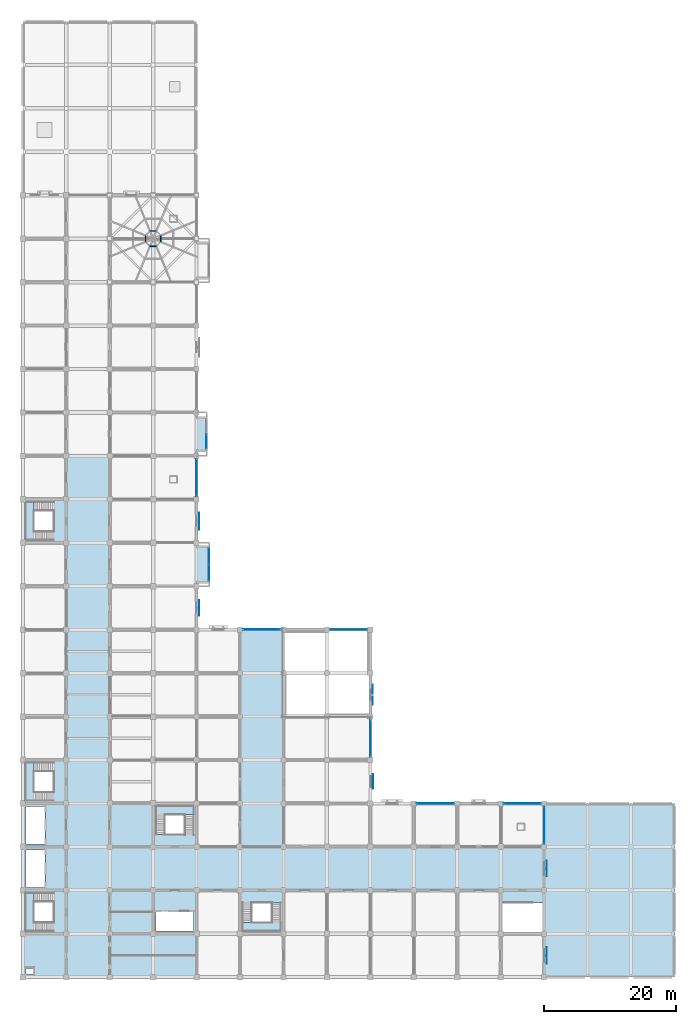
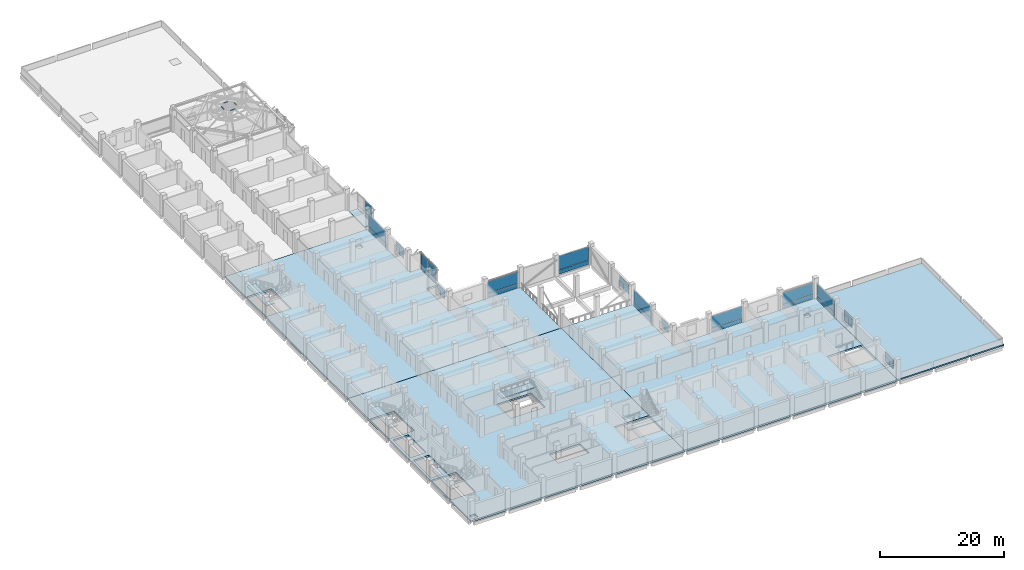
# One storey, part 15 of 30: 26 plates, 10 slabs, 4 members, 14 elements without a shape of their own.
"""IFC4 building model written with IfcOpenShell, lengths in metres."""

from ifc_helpers import new_model, si_unit, direction, frame, origin, origin_2d, place, context, subcontext, project, spatial, polyline, rectangle, hollow_rectangle, outline, extrude, material, layer, layer_set, material_profile, profile_set, type_object, element, aggregate, save


model = new_model("IFC4")

# Units and contexts
model_context = context("Model", 3, precision=1e-05, world=origin(), true_north=direction((0.0, 1.0)))
body_context = subcontext(model_context, "Body", "Model", "MODEL_VIEW")
ifc_project = project(units=[si_unit("LENGTHUNIT", "METRE"), si_unit("AREAUNIT", "SQUARE_METRE"), si_unit("VOLUMEUNIT", "CUBIC_METRE"), si_unit("PLANEANGLEUNIT", "RADIAN"), si_unit("MASSUNIT", "GRAM", prefix="KILO")], contexts=[model_context])

# Site, building, storey
site_placement = place(None, origin())
site = spatial("IfcSite", under=ifc_project, at=site_placement, CompositionType="ELEMENT")
building_placement = place(site_placement, origin())
building = spatial("IfcBuilding", under=site, at=building_placement, Name="Rusizi Kubbe Research Institute", CompositionType="ELEMENT")
storey_placement = place(building_placement, frame((0.0, 0.0, 10.199951171875)))
storey = spatial("IfcBuildingStorey", under=building, at=storey_placement, Name="L02", CompositionType="ELEMENT", Elevation=10.199951171875)

# Members
ifc_material_1 = material(Name="Steel S355", Category="steel")
ifc_material_profile = material_profile(ifc_material_1, hollow_rectangle(XDim=0.10009765625, YDim=0.179931640625, WallThickness=0.008056640625, at=origin_2d()), Name="RHS 180x100x8.0")
ifc_profile_set = profile_set([ifc_material_profile], Name="Steel S355")
member_type = type_object("IfcMemberType", Name="MB-RHS180", PredefinedType="PURLIN", material=ifc_profile_set)
for number, where, z_axis, x_axis, name in (
    (1, (20.2783203125, 113.354736328125, 6.5), (-1.0, 0.0, 0.0), (0.0, -1.0, 0.0), "Kubbe Dome Hoop Purlin Top DOME-LEC-2"),
    (2, (18.645263671875, 112.678466796875, 6.5), (0.0, -1.0, 0.0), (1.0, 0.0, 0.0), "Kubbe Dome Hoop Purlin Top DOME-LEC-4"),
    (3, (19.321533203125, 111.045166015625, 6.5), (1.0, 0.0, 0.0), (0.0, 1.0, 0.0), "Kubbe Dome Hoop Purlin Top DOME-LEC-6"),
    (4, (20.954833984375, 111.7216796875, 6.5), (0.0, 1.0, 0.0), (-1.0, 0.0, 0.0), "Kubbe Dome Hoop Purlin Top DOME-LEC-8"),
):
    element("IfcMember", number, at=place(storey_placement, frame(where, z_axis=z_axis, x_axis=x_axis)), inside=storey, type_object=member_type, Name=name, PredefinedType="PURLIN", context=body_context, shape_type="SweptSolid", body=[
        extrude(hollow_rectangle(XDim=0.10009765625, YDim=0.179931640625, WallThickness=0.008056640625, at=origin_2d()), origin(), (0.0, 0.0, 1.0), 0.956787109375),
    ])

# Curtain wall, plate
ifc_material_2 = material(Name="Thermally Broken Aluminium and Low-E Glazing", Category="aluminium")
curtain_wall_type_1 = type_object("IfcCurtainWallType", Name="CW-05", PredefinedType="NOTDEFINED", material=ifc_material_2)
curtain_wall_1_placement = place(storey_placement, origin())
curtain_wall_1 = element("IfcCurtainWall", 5, at=curtain_wall_1_placement, inside=storey, type_object=curtain_wall_type_1, Name="Unitised Facade Curtain Wall CW-L02-H-11-04", PredefinedType="NOTDEFINED")
ifc_material_3 = material(Name="Double Low-E Solar Control Insulated Glass", Category="glass")
ifc_layer_1 = layer(ifc_material_3, 0.02392578125)
ifc_layer_set_1 = layer_set([ifc_layer_1], Name="Double Low-E Solar Control Insulated Glass")
plate_type_1 = type_object("IfcPlateType", Name="GL-01", PredefinedType="CURTAIN_PANEL", material=ifc_layer_set_1)
plate_1_placement = place(storey_placement, frame((75.89990234375, 26.39990234375, 0.93017578125), z_axis=(0.0, 0.0, 1.0), x_axis=(1.0, 0.0, 0.0)))
plate_1 = element("IfcPlate", 6, at=plate_1_placement, type_object=plate_type_1, Name="CW-05 panel 1.2", PredefinedType="CURTAIN_PANEL", context=body_context, shape_type="SweptSolid", body=[
    extrude(rectangle(XDim=5.610107421875, YDim=0.02392578125, at=origin_2d()), origin(), (0.0, 0.0, 1.0), 2.260009765625),
])

curtain_wall_2_placement = place(storey_placement, origin())
curtain_wall_2 = element("IfcCurtainWall", 7, at=curtain_wall_2_placement, inside=storey, type_object=curtain_wall_type_1, Name="Unitised Facade Curtain Wall CW-L02-V-12-03", PredefinedType="NOTDEFINED")
ifc_material_4 = material(Name="Double Low-E Solar Control Insulated Glass", Category="glass")
ifc_layer_2 = layer(ifc_material_4, 0.028076171875)
ifc_layer_set_2 = layer_set([ifc_layer_2], Name="Double Low-E Solar Control Insulated Glass")
plate_type_2 = type_object("IfcPlateType", Name="GL-02", PredefinedType="CURTAIN_PANEL", material=ifc_layer_set_2)
plate_2_placement = place(storey_placement, frame((79.199951171875, 23.10009765625, 0.93017578125), z_axis=(0.0, 0.0, 1.0), x_axis=(0.0, 1.0, 0.0)))
plate_2 = element("IfcPlate", 8, at=plate_2_placement, type_object=plate_type_2, Name="CW-05 panel 1.2", PredefinedType="CURTAIN_PANEL", context=body_context, shape_type="SweptSolid", body=[
    extrude(rectangle(XDim=5.60009765625, YDim=0.028076171875, at=origin_2d()), origin(), (0.0, 0.0, 1.0), 2.260009765625),
])

# Curtain wall, plates
ifc_material_5 = material(Name="Thermally Broken Aluminium and Low-E Glazing", Category="aluminium")
curtain_wall_type_2 = type_object("IfcCurtainWallType", Name="CW-01", PredefinedType="NOTDEFINED", material=ifc_material_5)
curtain_wall_3_placement = place(storey_placement, origin())
curtain_wall_3 = element("IfcCurtainWall", 9, at=curtain_wall_3_placement, inside=storey, type_object=curtain_wall_type_2, Name="Cumba Glazed Curtain Wall CW-CUMBA-L02-020", PredefinedType="NOTDEFINED")
ifc_material_6 = material(Name="Double Low-E Solar Control Insulated Glass", Category="glass")
ifc_layer_3 = layer(ifc_material_6, 0.0400390625)
ifc_layer_set_3 = layer_set([ifc_layer_3], Name="Double Low-E Solar Control Insulated Glass")
plate_type_3 = type_object("IfcPlateType", Name="GL-05", PredefinedType="CURTAIN_PANEL", material=ifc_layer_set_3)
plate_3_placement = place(storey_placement, frame((28.300048828125, 61.45751953125, 0.93017578125), z_axis=(0.0, 0.0, 1.0), x_axis=(0.0, 1.0, 0.0)))
plate_3 = element("IfcPlate", 10, at=plate_3_placement, type_object=plate_type_3, Name="CW-01 panel 1.2", PredefinedType="CURTAIN_PANEL", context=body_context, shape_type="SweptSolid", body=[
    extrude(rectangle(XDim=2.419921875, YDim=0.0400390625, at=origin_2d()), origin(), (0.0, 0.0, 1.0), 2.260009765625),
])
plate_4_placement = place(storey_placement, frame((28.300048828125, 63.9423828125, 0.93017578125), z_axis=(0.0, 0.0, 1.0), x_axis=(0.0, 1.0, 0.0)))
plate_4 = element("IfcPlate", 11, at=plate_4_placement, type_object=plate_type_3, Name="CW-01 panel 2.2", PredefinedType="CURTAIN_PANEL", context=body_context, shape_type="SweptSolid", body=[
    extrude(rectangle(XDim=2.419921875, YDim=0.0400390625, at=origin_2d()), origin(), (0.0, 0.0, 1.0), 2.260009765625),
])

# Curtain wall, plate
curtain_wall_4_placement = place(storey_placement, origin())
curtain_wall_4 = element("IfcCurtainWall", 12, at=curtain_wall_4_placement, inside=storey, type_object=curtain_wall_type_1, Name="Unitised Facade Curtain Wall CW-L02-H-05-08", PredefinedType="NOTDEFINED")
plate_5_placement = place(storey_placement, frame((36.300048828125, 52.800048828125, 0.93017578125), z_axis=(0.0, 0.0, 1.0), x_axis=(1.0, 0.0, 0.0)))
plate_5 = element("IfcPlate", 13, at=plate_5_placement, type_object=plate_type_3, Name="CW-05 panel 1.2", PredefinedType="CURTAIN_PANEL", context=body_context, shape_type="SweptSolid", body=[
    extrude(rectangle(XDim=5.590087890625, YDim=0.0400390625, at=origin_2d()), origin(), (0.0, 0.0, 1.0), 2.260009765625),
])

curtain_wall_5_placement = place(storey_placement, origin())
curtain_wall_5 = element("IfcCurtainWall", 14, at=curtain_wall_5_placement, inside=storey, type_object=curtain_wall_type_1, Name="Unitised Facade Curtain Wall CW-L02-V-04-11", PredefinedType="NOTDEFINED")
ifc_material_7 = material(Name="Double Low-E Solar Control Insulated Glass", Category="glass")
ifc_layer_4 = layer(ifc_material_7, 0.0439453125)
ifc_layer_set_4 = layer_set([ifc_layer_4], Name="Double Low-E Solar Control Insulated Glass")
plate_type_4 = type_object("IfcPlateType", Name="GL-06", PredefinedType="CURTAIN_PANEL", material=ifc_layer_set_4)
plate_6_placement = place(storey_placement, frame((26.39990234375, 75.89990234375, 0.93017578125), z_axis=(0.0, 0.0, 1.0), x_axis=(0.0, 1.0, 0.0)))
plate_6 = element("IfcPlate", 15, at=plate_6_placement, type_object=plate_type_4, Name="CW-05 panel 1.2", PredefinedType="CURTAIN_PANEL", context=body_context, shape_type="SweptSolid", body=[
    extrude(rectangle(XDim=5.60009765625, YDim=0.0439453125, at=origin_2d()), origin(), (0.0, 0.0, 1.0), 2.260009765625),
])

curtain_wall_6_placement = place(storey_placement, origin())
curtain_wall_6 = element("IfcCurtainWall", 16, at=curtain_wall_6_placement, inside=storey, type_object=curtain_wall_type_1, Name="Unitised Facade Curtain Wall CW-L02-V-08-05", PredefinedType="NOTDEFINED")
plate_7_placement = place(storey_placement, frame((52.800048828125, 36.300048828125, 0.93017578125), z_axis=(0.0, 0.0, 1.0), x_axis=(0.0, 1.0, 0.0)))
plate_7 = element("IfcPlate", 17, at=plate_7_placement, type_object=plate_type_4, Name="CW-05 panel 1.2", PredefinedType="CURTAIN_PANEL", context=body_context, shape_type="SweptSolid", body=[
    extrude(rectangle(XDim=5.580078125, YDim=0.0439453125, at=origin_2d()), origin(), (0.0, 0.0, 1.0), 2.260009765625),
])

curtain_wall_7_placement = place(storey_placement, origin())
curtain_wall_7 = element("IfcCurtainWall", 18, at=curtain_wall_7_placement, inside=storey, type_object=curtain_wall_type_2, Name="Cumba Glazed Curtain Wall CW-CUMBA-L02-022", PredefinedType="NOTDEFINED")
ifc_material_8 = material(Name="Double Low-E Solar Control Insulated Glass", Category="glass")
ifc_layer_5 = layer(ifc_material_8, 0.048095703125)
ifc_layer_set_5 = layer_set([ifc_layer_5], Name="Double Low-E Solar Control Insulated Glass")
plate_type_5 = type_object("IfcPlateType", Name="GL-07", PredefinedType="CURTAIN_PANEL", material=ifc_layer_set_5)
plate_8_placement = place(storey_placement, frame((27.89990234375, 81.360107421875, 0.9326171875), z_axis=(0.0, 0.0, 1.0), x_axis=(0.0, 1.0, 0.0)))
plate_8 = element("IfcPlate", 19, at=plate_8_placement, type_object=plate_type_5, Name="CW-01 panel 1.2", PredefinedType="CURTAIN_PANEL", context=body_context, shape_type="SweptSolid", body=[
    extrude(rectangle(XDim=2.205078125, YDim=0.048095703125, at=origin_2d()), origin(), (0.0, 0.0, 1.0), 2.25244140625),
])

ifc_material_9 = material(Name="Thermally Broken Aluminium and Low-E Glazing", Category="aluminium")
curtain_wall_type_3 = type_object("IfcCurtainWallType", Name="CW-18", PredefinedType="NOTDEFINED", material=ifc_material_9)
curtain_wall_8_placement = place(storey_placement, origin())
curtain_wall_8 = element("IfcCurtainWall", 20, at=curtain_wall_8_placement, inside=storey, type_object=curtain_wall_type_3, Name="Unitised Facade Curtain Wall CW-L02-H-07-08", PredefinedType="NOTDEFINED")
plate_9_placement = place(storey_placement, frame((49.5, 52.800048828125, 0.9326171875), z_axis=(0.0, 0.0, 1.0), x_axis=(1.0, 0.0, 0.0)))
plate_9 = element("IfcPlate", 21, at=plate_9_placement, type_object=plate_type_5, Name="CW-18 panel 1.2", PredefinedType="CURTAIN_PANEL", context=body_context, shape_type="SweptSolid", body=[
    extrude(rectangle(XDim=5.6201171875, YDim=0.048095703125, at=origin_2d()), origin(), (0.0, 0.0, 1.0), 2.6025390625),
])

curtain_wall_9_placement = place(storey_placement, origin())
curtain_wall_9 = element("IfcCurtainWall", 22, at=curtain_wall_9_placement, inside=storey, type_object=curtain_wall_type_1, Name="Unitised Facade Curtain Wall CW-L02-H-09-04", PredefinedType="NOTDEFINED")
ifc_material_10 = material(Name="Double Low-E Solar Control Insulated Glass", Category="glass")
ifc_layer_6 = layer(ifc_material_10, 0.052001953125)
ifc_layer_set_6 = layer_set([ifc_layer_6], Name="Double Low-E Solar Control Insulated Glass")
plate_type_6 = type_object("IfcPlateType", Name="GL-08", PredefinedType="CURTAIN_PANEL", material=ifc_layer_set_6)
plate_10_placement = place(storey_placement, frame((62.699951171875, 26.39990234375, 0.93505859375), z_axis=(0.0, 0.0, 1.0), x_axis=(1.0, 0.0, 0.0)))
plate_10 = element("IfcPlate", 23, at=plate_10_placement, type_object=plate_type_6, Name="CW-05 panel 1.2", PredefinedType="CURTAIN_PANEL", context=body_context, shape_type="SweptSolid", body=[
    extrude(rectangle(XDim=5.6201171875, YDim=0.052001953125, at=origin_2d()), origin(), (0.0, 0.0, 1.0), 2.2451171875),
])

# Plates
ifc_material_11 = material(Name="Perforated Architectural Bronze Screen", Category="steel")
ifc_layer_7 = layer(ifc_material_11, 0.01806640625)
ifc_layer_set_7 = layer_set([ifc_layer_7], Name="Perforated Architectural Bronze Screen")
plate_type_7 = type_object("IfcPlateType", Name="MS-01", PredefinedType="SHEET", material=ifc_layer_set_7)
plate_11_placement = place(storey_placement, frame((26.797607421875, 56.10009765625, 0.760009765625), z_axis=(0.0, 0.0, 1.0), x_axis=(0.0, 1.0, 0.0)))
element("IfcPlate", 24, at=plate_11_placement, inside=storey, type_object=plate_type_7, Name="Mashrabiya Perforated Screen MS-01-030", PredefinedType="SHEET", context=body_context, shape_type="SweptSolid", body=[
    extrude(rectangle(XDim=2.39990234375, YDim=0.01806640625, at=origin_2d()), origin(), (0.0, 0.0, 1.0), 1.89990234375),
])
plate_12_placement = place(storey_placement, frame((79.58251953125, 16.5, 0.760009765625), z_axis=(0.0, 0.0, 1.0), x_axis=(0.0, 1.0, 0.0)))
element("IfcPlate", 25, at=plate_12_placement, inside=storey, type_object=plate_type_7, Name="Mashrabiya Perforated Screen MS-01-036", PredefinedType="SHEET", context=body_context, shape_type="SweptSolid", body=[
    extrude(rectangle(XDim=2.39990234375, YDim=0.01806640625, at=origin_2d()), origin(), (0.0, 0.0, 1.0), 2.1201171875),
])
ifc_material_12 = material(Name="Perforated Architectural Bronze Screen", Category="steel")
ifc_layer_8 = layer(ifc_material_12, 0.02001953125)
ifc_layer_set_8 = layer_set([ifc_layer_8], Name="Perforated Architectural Bronze Screen")
plate_type_8 = type_object("IfcPlateType", Name="MS-02", PredefinedType="SHEET", material=ifc_layer_set_8)
plate_13_placement = place(storey_placement, frame((26.782470703125, 69.300048828125, 0.760009765625), z_axis=(0.0, 0.0, 1.0), x_axis=(0.0, 1.0, 0.0)))
element("IfcPlate", 26, at=plate_13_placement, inside=storey, type_object=plate_type_8, Name="Mashrabiya Perforated Screen MS-02-031", PredefinedType="SHEET", context=body_context, shape_type="SweptSolid", body=[
    extrude(rectangle(XDim=2.60009765625, YDim=0.02001953125, at=origin_2d()), origin(), (0.0, 0.0, 1.0), 2.1201171875),
])
ifc_material_13 = material(Name="Perforated Architectural Bronze Screen", Category="steel")
ifc_layer_9 = layer(ifc_material_13, 0.01611328125)
ifc_layer_set_9 = layer_set([ifc_layer_9], Name="Perforated Architectural Bronze Screen")
plate_type_9 = type_object("IfcPlateType", Name="MS-04", PredefinedType="SHEET", material=ifc_layer_set_9)
plate_14_placement = place(storey_placement, frame((53.197509765625, 29.699951171875, 0.760009765625), z_axis=(0.0, 0.0, 1.0), x_axis=(0.0, 1.0, 0.0)))
element("IfcPlate", 27, at=plate_14_placement, inside=storey, type_object=plate_type_9, Name="Mashrabiya Perforated Screen MS-04-033", PredefinedType="SHEET", context=body_context, shape_type="SweptSolid", body=[
    extrude(rectangle(XDim=2.199951171875, YDim=0.01611328125, at=origin_2d()), origin(), (0.0, 0.0, 1.0), 1.89990234375),
])
ifc_material_14 = material(Name="Perforated Architectural Bronze Screen", Category="steel")
ifc_layer_10 = layer(ifc_material_14, 0.02392578125)
ifc_layer_set_10 = layer_set([ifc_layer_10], Name="Perforated Architectural Bronze Screen")
plate_type_10 = type_object("IfcPlateType", Name="MS-05", PredefinedType="SHEET", material=ifc_layer_set_10)
plate_15_placement = place(storey_placement, frame((53.1826171875, 42.89990234375, 0.760009765625), z_axis=(0.0, 0.0, 1.0), x_axis=(0.0, 1.0, 0.0)))
element("IfcPlate", 28, at=plate_15_placement, inside=storey, type_object=plate_type_10, Name="Mashrabiya Perforated Screen MS-05-034", PredefinedType="SHEET", context=body_context, shape_type="SweptSolid", body=[
    extrude(rectangle(XDim=3.0, YDim=0.02392578125, at=origin_2d()), origin(), (0.0, 0.0, 1.0), 1.89990234375),
])
ifc_material_15 = material(Name="Perforated Architectural Bronze Screen", Category="steel")
ifc_layer_11 = layer(ifc_material_15, 0.01904296875)
ifc_layer_set_11 = layer_set([ifc_layer_11], Name="Perforated Architectural Bronze Screen")
plate_type_11 = type_object("IfcPlateType", Name="MS-06", PredefinedType="SHEET", material=ifc_layer_set_11)
plate_16_placement = place(storey_placement, frame((79.597412109375, 3.300048828125, 0.760009765625), z_axis=(0.0, 0.0, 1.0), x_axis=(0.0, 1.0, 0.0)))
element("IfcPlate", 29, at=plate_16_placement, inside=storey, type_object=plate_type_11, Name="Mashrabiya Perforated Screen MS-06-035", PredefinedType="SHEET", context=body_context, shape_type="SweptSolid", body=[
    extrude(rectangle(XDim=2.5, YDim=0.01904296875, at=origin_2d()), origin(), (0.0, 0.0, 1.0), 1.89990234375),
])

# Slabs
ifc_material_16 = material(Name="Concrete C40/50", Category="concrete")
ifc_layer_12 = layer(ifc_material_16, 0.219970703125)
ifc_layer_set_12 = layer_set([ifc_layer_12], Name="Concrete C40/50")
slab_type_1 = type_object("IfcSlabType", Name="SL-C220", PredefinedType="FLOOR", material=ifc_layer_set_12)
slab_1_placement = place(storey_placement, frame((0.0, 0.0, -0.219970703125)))
element("IfcSlab", 30, at=slab_1_placement, inside=storey, type_object=slab_type_1, Name="Oriel Bay Slab L02", PredefinedType="FLOOR", context=body_context, shape_type="SweptSolid", body=[
    extrude(outline(polyline([(28.0, 80.0), (28.0, 85.0), (26.39990234375, 85.0), (26.39990234375, 80.0), (28.0, 80.0)])), origin(), (0.0, 0.0, 1.0), 0.219970703125),
])
ifc_material_17 = material(Name="Concrete C40/50", Category="concrete")
ifc_layer_13 = layer(ifc_material_17, 0.35009765625)
ifc_layer_set_13 = layer_set([ifc_layer_13], Name="Concrete C40/50")
slab_type_2 = type_object("IfcSlabType", Name="SL-F350", PredefinedType="FLOOR", material=ifc_layer_set_13)
slab_2_placement = place(storey_placement, frame((0.0, 0.0, -0.349853515625)))
element("IfcSlab", 31, at=slab_2_placement, inside=storey, type_object=slab_type_2, Name="Structural Slab L02 CORE", PredefinedType="FLOOR", context=body_context, shape_type="SweptSolid", body=[
    extrude(outline(polyline([(6.60009765625, 0.0), (0.0, 0.0), (0.0, 6.60009765625), (0.0, 13.199951171875), (0.0, 19.800048828125), (0.0, 26.39990234375), (0.0, 33.0), (0.0, 39.60009765625), (6.60009765625, 39.60009765625), (13.199951171875, 39.60009765625), (19.800048828125, 39.60009765625), (26.39990234375, 39.60009765625), (33.0, 39.60009765625), (39.60009765625, 39.60009765625), (39.60009765625, 33.0), (39.60009765625, 26.39990234375), (39.60009765625, 19.800048828125), (39.60009765625, 13.199951171875), (39.60009765625, 6.60009765625), (39.60009765625, 0.0), (33.0, 0.0), (26.39990234375, 0.0), (19.800048828125, 0.0), (13.199951171875, 0.0), (6.60009765625, 0.0)]), holes=[polyline([(0.449951171875, 1.35009765625), (0.449951171875, 0.449951171875), (1.550048828125, 0.449951171875), (1.550048828125, 1.35009765625), (0.449951171875, 1.35009765625)]), polyline([(20.25, 9.949951171875), (20.25, 7.050048828125), (25.949951171875, 7.050048828125), (25.949951171875, 9.949951171875), (20.25, 9.949951171875)]), polyline([(33.139892578125, 11.300048828125), (33.139892578125, 6.739990234375), (39.4599609375, 6.739990234375), (39.4599609375, 11.300048828125), (33.139892578125, 11.300048828125)]), polyline([(4.699951171875, 13.06005859375), (0.139892578125, 13.06005859375), (0.139892578125, 6.739990234375), (4.699951171875, 6.739990234375), (4.699951171875, 13.06005859375)]), polyline([(0.449951171875, 19.35009765625), (0.449951171875, 13.64990234375), (3.35009765625, 13.64990234375), (3.35009765625, 19.35009765625), (0.449951171875, 19.35009765625)]), polyline([(0.449951171875, 25.949951171875), (0.449951171875, 20.25), (3.35009765625, 20.25), (3.35009765625, 25.949951171875), (0.449951171875, 25.949951171875)]), polyline([(19.93994140625, 26.260009765625), (19.93994140625, 21.699951171875), (26.260009765625, 21.699951171875), (26.260009765625, 26.260009765625), (19.93994140625, 26.260009765625)]), polyline([(4.699951171875, 32.860107421875), (0.139892578125, 32.860107421875), (0.139892578125, 26.5400390625), (4.699951171875, 26.5400390625), (4.699951171875, 32.860107421875)])]), origin(), (0.0, 0.0, 1.0), 0.349853515625),
])
slab_3_placement = place(storey_placement, frame((0.0, 0.0, -0.349853515625)))
element("IfcSlab", 32, at=slab_3_placement, inside=storey, type_object=slab_type_2, Name="Structural Slab L02 NORTHA", PredefinedType="FLOOR", context=body_context, shape_type="SweptSolid", body=[
    extrude(outline(polyline([(0.0, 72.60009765625), (0.0, 79.199951171875), (6.60009765625, 79.199951171875), (13.199951171875, 79.199951171875), (19.800048828125, 79.199951171875), (26.39990234375, 79.199951171875), (26.39990234375, 72.60009765625), (26.39990234375, 66.0), (26.39990234375, 65.39990234375), (28.39990234375, 65.39990234375), (28.39990234375, 60.0), (26.39990234375, 60.0), (26.39990234375, 59.39990234375), (26.39990234375, 52.800048828125), (33.0, 52.800048828125), (39.60009765625, 52.800048828125), (39.60009765625, 46.199951171875), (39.60009765625, 39.60009765625), (33.0, 39.60009765625), (26.39990234375, 39.60009765625), (19.800048828125, 39.60009765625), (13.199951171875, 39.60009765625), (6.60009765625, 39.60009765625), (0.0, 39.60009765625), (0.0, 46.199951171875), (0.0, 52.800048828125), (0.0, 59.39990234375), (0.0, 66.0), (0.0, 72.60009765625)]), holes=[polyline([(0.139892578125, 72.4599609375), (0.139892578125, 66.139892578125), (4.699951171875, 66.139892578125), (4.699951171875, 72.4599609375), (0.139892578125, 72.4599609375)]), polyline([(23.35009765625, 76.050048828125), (22.39990234375, 76.050048828125), (22.39990234375, 75.199951171875), (23.35009765625, 75.199951171875), (23.35009765625, 76.050048828125)])]), origin(), (0.0, 0.0, 1.0), 0.349853515625),
])
slab_4_placement = place(storey_placement, frame((0.0, 0.0, -0.349853515625)))
element("IfcSlab", 33, at=slab_4_placement, inside=storey, type_object=slab_type_2, Name="Structural Slab L02 EAST", PredefinedType="FLOOR", context=body_context, shape_type="SweptSolid", body=[
    extrude(outline(polyline([(39.60009765625, 26.39990234375), (39.60009765625, 33.0), (39.60009765625, 39.60009765625), (46.199951171875, 39.60009765625), (52.800048828125, 39.60009765625), (52.800048828125, 33.0), (52.800048828125, 26.39990234375), (59.39990234375, 26.39990234375), (66.0, 26.39990234375), (72.60009765625, 26.39990234375), (79.199951171875, 26.39990234375), (79.199951171875, 19.800048828125), (79.199951171875, 13.199951171875), (79.199951171875, 6.60009765625), (79.199951171875, 0.0), (72.60009765625, 0.0), (66.0, 0.0), (59.39990234375, 0.0), (52.800048828125, 0.0), (46.199951171875, 0.0), (39.60009765625, 0.0), (39.60009765625, 6.60009765625), (39.60009765625, 13.199951171875), (39.60009765625, 19.800048828125), (39.60009765625, 26.39990234375)]), holes=[polyline([(72.739990234375, 11.300048828125), (72.739990234375, 6.739990234375), (79.06005859375, 6.739990234375), (79.06005859375, 11.300048828125), (72.739990234375, 11.300048828125)]), polyline([(76.14990234375, 23.25), (75.199951171875, 23.25), (75.199951171875, 22.39990234375), (76.14990234375, 22.39990234375), (76.14990234375, 23.25)])]), origin(), (0.0, 0.0, 1.0), 0.349853515625),
])

# Stair, slab
ifc_material_18 = material(Name="Concrete C40/50", Category="concrete")
stair_type_1 = type_object("IfcStairType", Name="ST-H420A", PredefinedType="HALF_TURN_STAIR", material=ifc_material_18)
stair_1_placement = place(storey_placement, origin())
stair_1 = element("IfcStair", 34, at=stair_1_placement, inside=storey, type_object=stair_type_1, Name="Protected Exit Stair ST1 (L02)", PredefinedType="HALF_TURN_STAIR")
ifc_material_19 = material(Name="Concrete C40/50", Category="concrete")
ifc_layer_14 = layer(ifc_material_19, 0.179931640625)
ifc_layer_set_14 = layer_set([ifc_layer_14], Name="Concrete C40/50")
slab_type_3 = type_object("IfcSlabType", Name="SL-L180", PredefinedType="LANDING", material=ifc_layer_set_14)
slab_5_placement = place(storey_placement, frame((0.0, 0.0, 1.920166015625)))
slab_5 = element("IfcSlab", 35, at=slab_5_placement, type_object=slab_type_3, Name="ST1 landing 1", PredefinedType="LANDING", context=body_context, shape_type="SweptSolid", body=[
    extrude(outline(polyline([(1.7060546875, 13.06005859375), (0.139892578125, 13.06005859375), (0.139892578125, 6.739990234375), (1.7060546875, 6.739990234375), (1.7060546875, 13.06005859375)])), origin(), (0.0, 0.0, 1.0), 0.179931640625),
])
aggregate(stair_1, [slab_5])

stair_2_placement = place(storey_placement, origin())
stair_2 = element("IfcStair", 36, at=stair_2_placement, inside=storey, type_object=stair_type_1, Name="Protected Exit Stair ST2 (L02)", PredefinedType="HALF_TURN_STAIR")
slab_6_placement = place(storey_placement, frame((0.0, 0.0, 1.920166015625)))
slab_6 = element("IfcSlab", 37, at=slab_6_placement, type_object=slab_type_3, Name="ST2 landing 1", PredefinedType="LANDING", context=body_context, shape_type="SweptSolid", body=[
    extrude(outline(polyline([(1.7060546875, 32.860107421875), (0.139892578125, 32.860107421875), (0.139892578125, 26.5400390625), (1.7060546875, 26.5400390625), (1.7060546875, 32.860107421875)])), origin(), (0.0, 0.0, 1.0), 0.179931640625),
])
aggregate(stair_2, [slab_6])

ifc_material_20 = material(Name="Concrete C40/50", Category="concrete")
stair_type_2 = type_object("IfcStairType", Name="ST-H420B", PredefinedType="HALF_TURN_STAIR", material=ifc_material_20)
stair_3_placement = place(storey_placement, origin())
stair_3 = element("IfcStair", 38, at=stair_3_placement, inside=storey, type_object=stair_type_2, Name="Protected Exit Stair ST3 (L02)", PredefinedType="HALF_TURN_STAIR")
slab_7_placement = place(storey_placement, frame((0.0, 0.0, 1.920166015625)))
slab_7 = element("IfcSlab", 39, at=slab_7_placement, type_object=slab_type_3, Name="ST3 landing 1", PredefinedType="LANDING", context=body_context, shape_type="SweptSolid", body=[
    extrude(outline(polyline([(26.260009765625, 24.694091796875), (26.260009765625, 26.260009765625), (19.93994140625, 26.260009765625), (19.93994140625, 24.694091796875), (26.260009765625, 24.694091796875)])), origin(), (0.0, 0.0, 1.0), 0.179931640625),
])
aggregate(stair_3, [slab_7])

stair_4_placement = place(storey_placement, origin())
stair_4 = element("IfcStair", 40, at=stair_4_placement, inside=storey, type_object=stair_type_2, Name="Protected Exit Stair ST4 (L02)", PredefinedType="HALF_TURN_STAIR")
slab_8_placement = place(storey_placement, frame((0.0, 0.0, 1.920166015625)))
slab_8 = element("IfcSlab", 41, at=slab_8_placement, type_object=slab_type_3, Name="ST4 landing 1", PredefinedType="LANDING", context=body_context, shape_type="SweptSolid", body=[
    extrude(outline(polyline([(33.139892578125, 8.305908203125), (33.139892578125, 6.739990234375), (39.4599609375, 6.739990234375), (39.4599609375, 8.305908203125), (33.139892578125, 8.305908203125)])), origin(), (0.0, 0.0, 1.0), 0.179931640625),
])
aggregate(stair_4, [slab_8])

stair_5_placement = place(storey_placement, origin())
stair_5 = element("IfcStair", 42, at=stair_5_placement, inside=storey, type_object=stair_type_1, Name="Protected Exit Stair ST5 (L02)", PredefinedType="HALF_TURN_STAIR")
slab_9_placement = place(storey_placement, frame((0.0, 0.0, 1.920166015625)))
slab_9 = element("IfcSlab", 43, at=slab_9_placement, type_object=slab_type_3, Name="ST5 landing 1", PredefinedType="LANDING", context=body_context, shape_type="SweptSolid", body=[
    extrude(outline(polyline([(1.7060546875, 72.4599609375), (0.139892578125, 72.4599609375), (0.139892578125, 66.139892578125), (1.7060546875, 66.139892578125), (1.7060546875, 72.4599609375)])), origin(), (0.0, 0.0, 1.0), 0.179931640625),
])
aggregate(stair_5, [slab_9])

# Slab
ifc_material_21 = material(Name="Concrete C40/50", Category="concrete")
ifc_layer_15 = layer(ifc_material_21, 0.260009765625)
ifc_layer_set_15 = layer_set([ifc_layer_15], Name="Concrete C40/50")
slab_type_4 = type_object("IfcSlabType", Name="SL-R260", PredefinedType="ROOF", material=ifc_layer_set_15)
slab_10_placement = place(storey_placement, frame((0.0, 0.0, -0.260009765625)))
element("IfcSlab", 44, at=slab_10_placement, inside=storey, type_object=slab_type_4, Name="Stepback Maintenance Roof Slab L02-2", PredefinedType="ROOF", context=body_context, shape_type="SweptSolid", body=[
    extrude(outline(polyline([(85.800048828125, 26.39990234375), (92.39990234375, 26.39990234375), (99.0, 26.39990234375), (99.0, 19.800048828125), (99.0, 13.199951171875), (99.0, 6.60009765625), (99.0, 0.0), (92.39990234375, 0.0), (85.800048828125, 0.0), (79.205078125, 0.0), (79.205078125, 26.39990234375), (85.800048828125, 26.39990234375)])), origin(), (0.0, 0.0, 1.0), 0.260009765625),
])

# Plate
ifc_material_22 = material(Name="Ceramic-Frit Insulated Spandrel Panel", Category="glass")
ifc_layer_16 = layer(ifc_material_22, 0.05810546875)
ifc_layer_set_16 = layer_set([ifc_layer_16], Name="Ceramic-Frit Insulated Spandrel Panel")
plate_type_12 = type_object("IfcPlateType", Name="SP-01", PredefinedType="CURTAIN_PANEL", material=ifc_layer_set_16)
plate_17_placement = place(storey_placement, frame((28.300048828125, 61.45751953125, 0.06005859375), z_axis=(0.0, 0.0, 1.0), x_axis=(0.0, 1.0, 0.0)))
plate_17 = element("IfcPlate", 45, at=plate_17_placement, type_object=plate_type_12, Name="CW-01 panel 1.1", PredefinedType="CURTAIN_PANEL", context=body_context, shape_type="SweptSolid", body=[
    extrude(rectangle(XDim=2.419921875, YDim=0.05810546875, at=origin_2d()), origin(), (0.0, 0.0, 1.0), 0.81005859375),
])

plate_18_placement = place(storey_placement, frame((28.300048828125, 63.9423828125, 0.06005859375), z_axis=(0.0, 0.0, 1.0), x_axis=(0.0, 1.0, 0.0)))
plate_18 = element("IfcPlate", 46, at=plate_18_placement, type_object=plate_type_12, Name="CW-01 panel 2.1", PredefinedType="CURTAIN_PANEL", context=body_context, shape_type="SweptSolid", body=[
    extrude(rectangle(XDim=2.419921875, YDim=0.05810546875, at=origin_2d()), origin(), (0.0, 0.0, 1.0), 0.81005859375),
])

aggregate(curtain_wall_3, [plate_17, plate_3, plate_18, plate_4])

plate_19_placement = place(storey_placement, frame((36.300048828125, 52.800048828125, 0.06005859375), z_axis=(0.0, 0.0, 1.0), x_axis=(1.0, 0.0, 0.0)))
plate_19 = element("IfcPlate", 47, at=plate_19_placement, type_object=plate_type_12, Name="CW-05 panel 1.1", PredefinedType="CURTAIN_PANEL", context=body_context, shape_type="SweptSolid", body=[
    extrude(rectangle(XDim=5.590087890625, YDim=0.05810546875, at=origin_2d()), origin(), (0.0, 0.0, 1.0), 0.81005859375),
])

aggregate(curtain_wall_4, [plate_19, plate_5])

plate_20_placement = place(storey_placement, frame((75.89990234375, 26.39990234375, 0.06005859375), z_axis=(0.0, 0.0, 1.0), x_axis=(1.0, 0.0, 0.0)))
plate_20 = element("IfcPlate", 48, at=plate_20_placement, type_object=plate_type_12, Name="CW-05 panel 1.1", PredefinedType="CURTAIN_PANEL", context=body_context, shape_type="SweptSolid", body=[
    extrude(rectangle(XDim=5.610107421875, YDim=0.05810546875, at=origin_2d()), origin(), (0.0, 0.0, 1.0), 0.81005859375),
])

aggregate(curtain_wall_1, [plate_20, plate_1])

ifc_material_23 = material(Name="Ceramic-Frit Insulated Spandrel Panel", Category="glass")
ifc_layer_17 = layer(ifc_material_23, 0.06396484375)
ifc_layer_set_17 = layer_set([ifc_layer_17], Name="Ceramic-Frit Insulated Spandrel Panel")
plate_type_13 = type_object("IfcPlateType", Name="SP-02", PredefinedType="CURTAIN_PANEL", material=ifc_layer_set_17)
plate_21_placement = place(storey_placement, frame((26.39990234375, 75.89990234375, 0.06005859375), z_axis=(0.0, 0.0, 1.0), x_axis=(0.0, 1.0, 0.0)))
plate_21 = element("IfcPlate", 49, at=plate_21_placement, type_object=plate_type_13, Name="CW-05 panel 1.1", PredefinedType="CURTAIN_PANEL", context=body_context, shape_type="SweptSolid", body=[
    extrude(rectangle(XDim=5.60009765625, YDim=0.06396484375, at=origin_2d()), origin(), (0.0, 0.0, 1.0), 0.81005859375),
])

aggregate(curtain_wall_5, [plate_21, plate_6])

plate_22_placement = place(storey_placement, frame((52.800048828125, 36.300048828125, 0.06005859375), z_axis=(0.0, 0.0, 1.0), x_axis=(0.0, 1.0, 0.0)))
plate_22 = element("IfcPlate", 50, at=plate_22_placement, type_object=plate_type_13, Name="CW-05 panel 1.1", PredefinedType="CURTAIN_PANEL", context=body_context, shape_type="SweptSolid", body=[
    extrude(rectangle(XDim=5.580078125, YDim=0.06396484375, at=origin_2d()), origin(), (0.0, 0.0, 1.0), 0.81005859375),
])

aggregate(curtain_wall_6, [plate_22, plate_7])

plate_23_placement = place(storey_placement, frame((79.199951171875, 23.10009765625, 0.06005859375), z_axis=(0.0, 0.0, 1.0), x_axis=(0.0, 1.0, 0.0)))
plate_23 = element("IfcPlate", 51, at=plate_23_placement, type_object=plate_type_13, Name="CW-05 panel 1.1", PredefinedType="CURTAIN_PANEL", context=body_context, shape_type="SweptSolid", body=[
    extrude(rectangle(XDim=5.60009765625, YDim=0.06396484375, at=origin_2d()), origin(), (0.0, 0.0, 1.0), 0.81005859375),
])

aggregate(curtain_wall_2, [plate_23, plate_2])

ifc_material_24 = material(Name="Ceramic-Frit Insulated Spandrel Panel", Category="glass")
ifc_layer_18 = layer(ifc_material_24, 0.070068359375)
ifc_layer_set_18 = layer_set([ifc_layer_18], Name="Ceramic-Frit Insulated Spandrel Panel")
plate_type_14 = type_object("IfcPlateType", Name="SP-03", PredefinedType="CURTAIN_PANEL", material=ifc_layer_set_18)
plate_24_placement = place(storey_placement, frame((27.89990234375, 81.360107421875, 0.06494140625), z_axis=(0.0, 0.0, 1.0), x_axis=(0.0, 1.0, 0.0)))
plate_24 = element("IfcPlate", 52, at=plate_24_placement, type_object=plate_type_14, Name="CW-01 panel 1.1", PredefinedType="CURTAIN_PANEL", context=body_context, shape_type="SweptSolid", body=[
    extrude(rectangle(XDim=2.205078125, YDim=0.070068359375, at=origin_2d()), origin(), (0.0, 0.0, 1.0), 0.802490234375),
])

aggregate(curtain_wall_7, [plate_24, plate_8])

plate_25_placement = place(storey_placement, frame((49.5, 52.800048828125, 0.06494140625), z_axis=(0.0, 0.0, 1.0), x_axis=(1.0, 0.0, 0.0)))
plate_25 = element("IfcPlate", 53, at=plate_25_placement, type_object=plate_type_14, Name="CW-18 panel 1.1", PredefinedType="CURTAIN_PANEL", context=body_context, shape_type="SweptSolid", body=[
    extrude(rectangle(XDim=5.6201171875, YDim=0.070068359375, at=origin_2d()), origin(), (0.0, 0.0, 1.0), 0.802490234375),
])

aggregate(curtain_wall_8, [plate_25, plate_9])

ifc_material_25 = material(Name="Ceramic-Frit Insulated Spandrel Panel", Category="glass")
ifc_layer_19 = layer(ifc_material_25, 0.075927734375)
ifc_layer_set_19 = layer_set([ifc_layer_19], Name="Ceramic-Frit Insulated Spandrel Panel")
plate_type_15 = type_object("IfcPlateType", Name="SP-04", PredefinedType="CURTAIN_PANEL", material=ifc_layer_set_19)
plate_26_placement = place(storey_placement, frame((62.699951171875, 26.39990234375, 0.070068359375), z_axis=(0.0, 0.0, 1.0), x_axis=(1.0, 0.0, 0.0)))
plate_26 = element("IfcPlate", 54, at=plate_26_placement, type_object=plate_type_15, Name="CW-05 panel 1.1", PredefinedType="CURTAIN_PANEL", context=body_context, shape_type="SweptSolid", body=[
    extrude(rectangle(XDim=5.6201171875, YDim=0.075927734375, at=origin_2d()), origin(), (0.0, 0.0, 1.0), 0.794921875),
])

aggregate(curtain_wall_9, [plate_26, plate_10])

save(model, "model.ifc")
